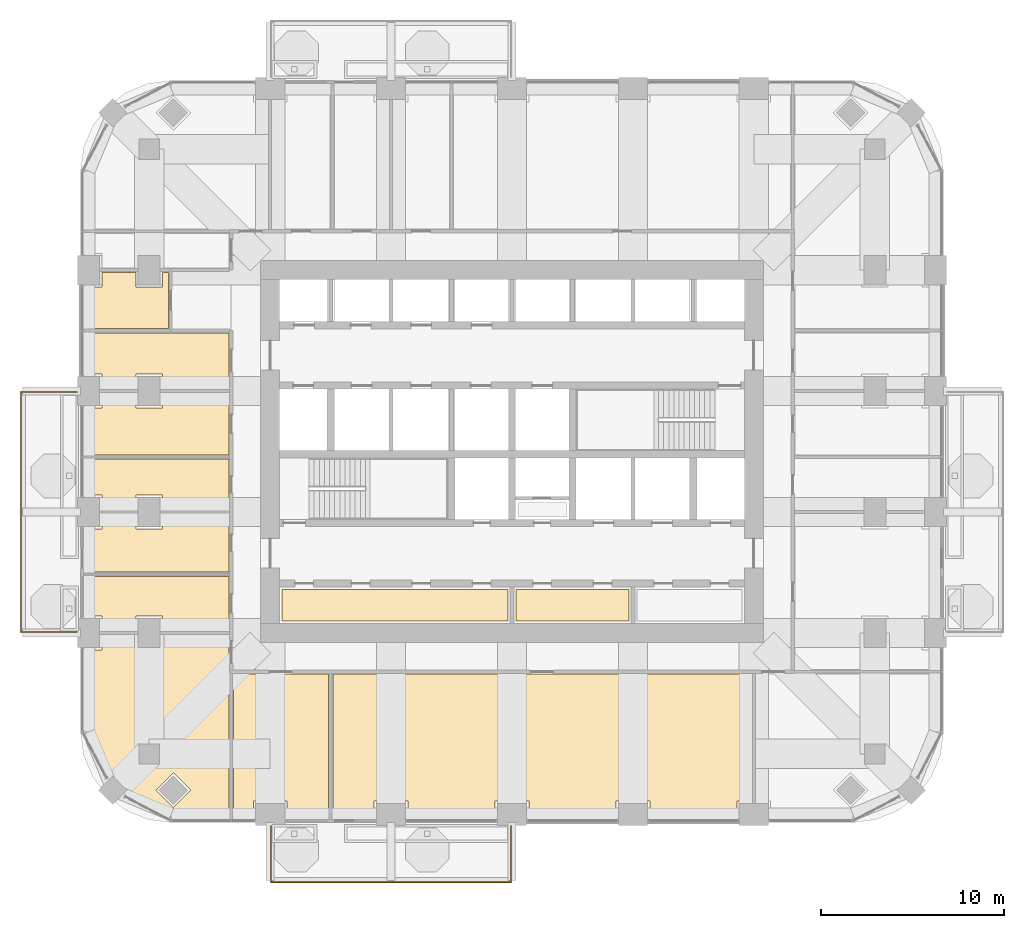
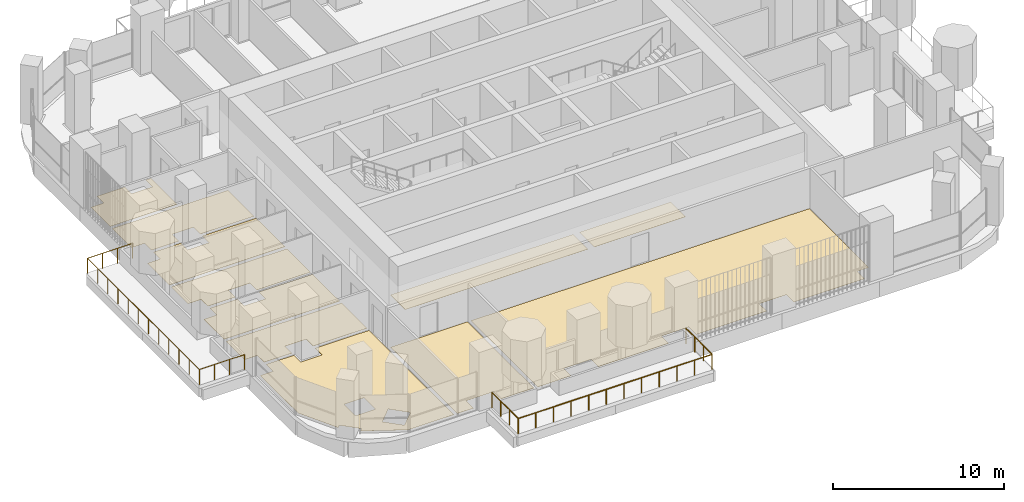
# One storey, part 16 of 20: 11 coverings, 2 railings.
"""IFC4 building model written with IfcOpenShell, lengths in metres."""

from ifc_helpers import new_model, si_unit, direction, frame, origin, place, context, subcontext, project, spatial, polyline, outline, extrude, material, layer, layer_set, type_object, element, save


model = new_model("IFC4")

# Units and contexts
model_context = context("Model", 3, precision=1e-05, world=origin(), true_north=direction((0.0, 1.0)))
body_context = subcontext(model_context, "Body", "Model", "MODEL_VIEW")
ifc_project = project(units=[si_unit("LENGTHUNIT", "METRE"), si_unit("AREAUNIT", "SQUARE_METRE"), si_unit("VOLUMEUNIT", "CUBIC_METRE"), si_unit("PLANEANGLEUNIT", "RADIAN"), si_unit("MASSUNIT", "GRAM", prefix="KILO")], contexts=[model_context])

# Site, building, storey
site_placement = place(None, origin())
site = spatial("IfcSite", under=ifc_project, at=site_placement, CompositionType="ELEMENT")
building_placement = place(site_placement, origin())
building = spatial("IfcBuilding", under=site, at=building_placement, Name="Cobogo Forest Laboratory Tower", CompositionType="ELEMENT")
storey_placement = place(building_placement, frame((0.0, 0.0, 201.89990234375)))
storey = spatial("IfcBuildingStorey", under=building, at=storey_placement, Name="L46", CompositionType="ELEMENT", Elevation=201.89990234375)

# Railings
ifc_material_1 = material(Name="Laminated glass balustrade", Category="glass")
railing_type = type_object("IfcRailingType", Name="BG1 glass balustrade 1100", PredefinedType="GUARDRAIL", material=ifc_material_1)
railing_1_placement = place(storey_placement, frame((13.25, 2.64990234375, 0.0)))
element("IfcRailing", 1, at=railing_1_placement, inside=storey, type_object=railing_type, Name="Balcony balustrade BAL-S1 L46", PredefinedType="GUARDRAIL", context=body_context, shape_type="SweptSolid", body=[
    extrude(outline(polyline([(0.022216796875, 0.00927734375), (0.00927734375, 0.022216796875), (-0.00927734375, 0.022216796875), (-0.022216796875, 0.00927734375), (-0.022216796875, -0.00927734375), (-0.00927734375, -0.022216796875), (0.00927734375, -0.022216796875), (0.022216796875, -0.00927734375), (0.022216796875, 0.00927734375)])), frame((0.0, 0.0, 1.077880859375), z_axis=(0.0, -1.0, 0.0), x_axis=(1.0, 0.0, 0.0)), (0.0, 0.0, 1.0), 3.0498046875),
    extrude(outline(polyline([(0.022216796875, 0.00927734375), (0.00927734375, 0.022216796875), (-0.00927734375, 0.022216796875), (-0.022216796875, 0.00927734375), (-0.022216796875, -0.00927734375), (-0.00927734375, -0.022216796875), (0.00927734375, -0.022216796875), (0.022216796875, -0.00927734375), (0.022216796875, 0.00927734375)])), frame((0.0, -3.0498046875, 1.077880859375), z_axis=(1.0, 0.0, 0.0), x_axis=(0.0, 1.0, 0.0)), (0.0, 0.0, 1.0), 13.10009765625),
    extrude(outline(polyline([(0.022216796875, 0.00927734375), (0.00927734375, 0.022216796875), (-0.00927734375, 0.022216796875), (-0.022216796875, 0.00927734375), (-0.022216796875, -0.00927734375), (-0.00927734375, -0.022216796875), (0.00927734375, -0.022216796875), (0.022216796875, -0.00927734375), (0.022216796875, 0.00927734375)])), frame((13.10009765625, -3.0498046875, 1.077880859375), z_axis=(0.0, 1.0, 0.0), x_axis=(-1.0, 0.0, 0.0)), (0.0, 0.0, 1.0), 3.0498046875),
    extrude(outline(polyline([(0.019287109375, 0.008056640625), (0.008056640625, 0.019287109375), (-0.008056640625, 0.019287109375), (-0.019287109375, 0.008056640625), (-0.019287109375, -0.008056640625), (-0.008056640625, -0.019287109375), (0.008056640625, -0.019287109375), (0.019287109375, -0.008056640625), (0.019287109375, 0.008056640625)])), origin(), (0.0, 0.0, 1.0), 1.077880859375),
    extrude(outline(polyline([(0.019287109375, 0.008056640625), (0.008056640625, 0.019287109375), (-0.008056640625, 0.019287109375), (-0.019287109375, 0.008056640625), (-0.019287109375, -0.008056640625), (-0.008056640625, -0.019287109375), (0.008056640625, -0.019287109375), (0.019287109375, -0.008056640625), (0.019287109375, 0.008056640625)])), frame((0.0, -1.0166015625, 0.0)), (0.0, 0.0, 1.0), 1.077880859375),
    extrude(outline(polyline([(0.019287109375, 0.008056640625), (0.008056640625, 0.019287109375), (-0.008056640625, 0.019287109375), (-0.019287109375, 0.008056640625), (-0.019287109375, -0.008056640625), (-0.008056640625, -0.019287109375), (0.008056640625, -0.019287109375), (0.019287109375, -0.008056640625), (0.019287109375, 0.008056640625)])), frame((0.0, -2.033203125, 0.0)), (0.0, 0.0, 1.0), 1.077880859375),
    extrude(outline(polyline([(0.019287109375, 0.008056640625), (0.008056640625, 0.019287109375), (-0.008056640625, 0.019287109375), (-0.019287109375, 0.008056640625), (-0.019287109375, -0.008056640625), (-0.008056640625, -0.019287109375), (0.008056640625, -0.019287109375), (0.019287109375, -0.008056640625), (0.019287109375, 0.008056640625)])), frame((0.0, -3.0498046875, 0.0)), (0.0, 0.0, 1.0), 1.077880859375),
    extrude(outline(polyline([(0.019287109375, 0.008056640625), (0.008056640625, 0.019287109375), (-0.008056640625, 0.019287109375), (-0.019287109375, 0.008056640625), (-0.019287109375, -0.008056640625), (-0.008056640625, -0.019287109375), (0.008056640625, -0.019287109375), (0.019287109375, -0.008056640625), (0.019287109375, 0.008056640625)])), frame((1.19091796875, -3.0498046875, 0.0)), (0.0, 0.0, 1.0), 1.077880859375),
    extrude(outline(polyline([(0.019287109375, 0.008056640625), (0.008056640625, 0.019287109375), (-0.008056640625, 0.019287109375), (-0.019287109375, 0.008056640625), (-0.019287109375, -0.008056640625), (-0.008056640625, -0.019287109375), (0.008056640625, -0.019287109375), (0.019287109375, -0.008056640625), (0.019287109375, 0.008056640625)])), frame((2.3818359375, -3.0498046875, 0.0)), (0.0, 0.0, 1.0), 1.077880859375),
    extrude(outline(polyline([(0.019287109375, 0.008056640625), (0.008056640625, 0.019287109375), (-0.008056640625, 0.019287109375), (-0.019287109375, 0.008056640625), (-0.019287109375, -0.008056640625), (-0.008056640625, -0.019287109375), (0.008056640625, -0.019287109375), (0.019287109375, -0.008056640625), (0.019287109375, 0.008056640625)])), frame((3.57275390625, -3.0498046875, 0.0)), (0.0, 0.0, 1.0), 1.077880859375),
    extrude(outline(polyline([(0.019287109375, 0.008056640625), (0.008056640625, 0.019287109375), (-0.008056640625, 0.019287109375), (-0.019287109375, 0.008056640625), (-0.019287109375, -0.008056640625), (-0.008056640625, -0.019287109375), (0.008056640625, -0.019287109375), (0.019287109375, -0.008056640625), (0.019287109375, 0.008056640625)])), frame((4.763671875, -3.0498046875, 0.0)), (0.0, 0.0, 1.0), 1.077880859375),
    extrude(outline(polyline([(0.019287109375, 0.008056640625), (0.008056640625, 0.019287109375), (-0.008056640625, 0.019287109375), (-0.019287109375, 0.008056640625), (-0.019287109375, -0.008056640625), (-0.008056640625, -0.019287109375), (0.008056640625, -0.019287109375), (0.019287109375, -0.008056640625), (0.019287109375, 0.008056640625)])), frame((5.95458984375, -3.0498046875, 0.0)), (0.0, 0.0, 1.0), 1.077880859375),
    extrude(outline(polyline([(0.019287109375, 0.008056640625), (0.008056640625, 0.019287109375), (-0.008056640625, 0.019287109375), (-0.019287109375, 0.008056640625), (-0.019287109375, -0.008056640625), (-0.008056640625, -0.019287109375), (0.008056640625, -0.019287109375), (0.019287109375, -0.008056640625), (0.019287109375, 0.008056640625)])), frame((7.1455078125, -3.0498046875, 0.0)), (0.0, 0.0, 1.0), 1.077880859375),
    extrude(outline(polyline([(0.019287109375, 0.008056640625), (0.008056640625, 0.019287109375), (-0.008056640625, 0.019287109375), (-0.019287109375, 0.008056640625), (-0.019287109375, -0.008056640625), (-0.008056640625, -0.019287109375), (0.008056640625, -0.019287109375), (0.019287109375, -0.008056640625), (0.019287109375, 0.008056640625)])), frame((8.33642578125, -3.0498046875, 0.0)), (0.0, 0.0, 1.0), 1.077880859375),
    extrude(outline(polyline([(0.019287109375, 0.008056640625), (0.008056640625, 0.019287109375), (-0.008056640625, 0.019287109375), (-0.019287109375, 0.008056640625), (-0.019287109375, -0.008056640625), (-0.008056640625, -0.019287109375), (0.008056640625, -0.019287109375), (0.019287109375, -0.008056640625), (0.019287109375, 0.008056640625)])), frame((9.52734375, -3.0498046875, 0.0)), (0.0, 0.0, 1.0), 1.077880859375),
    extrude(outline(polyline([(0.019287109375, 0.008056640625), (0.008056640625, 0.019287109375), (-0.008056640625, 0.019287109375), (-0.019287109375, 0.008056640625), (-0.019287109375, -0.008056640625), (-0.008056640625, -0.019287109375), (0.008056640625, -0.019287109375), (0.019287109375, -0.008056640625), (0.019287109375, 0.008056640625)])), frame((10.71826171875, -3.0498046875, 0.0)), (0.0, 0.0, 1.0), 1.077880859375),
    extrude(outline(polyline([(0.019287109375, 0.008056640625), (0.008056640625, 0.019287109375), (-0.008056640625, 0.019287109375), (-0.019287109375, 0.008056640625), (-0.019287109375, -0.008056640625), (-0.008056640625, -0.019287109375), (0.008056640625, -0.019287109375), (0.019287109375, -0.008056640625), (0.019287109375, 0.008056640625)])), frame((11.9091796875, -3.0498046875, 0.0)), (0.0, 0.0, 1.0), 1.077880859375),
    extrude(outline(polyline([(0.019287109375, 0.008056640625), (0.008056640625, 0.019287109375), (-0.008056640625, 0.019287109375), (-0.019287109375, 0.008056640625), (-0.019287109375, -0.008056640625), (-0.008056640625, -0.019287109375), (0.008056640625, -0.019287109375), (0.019287109375, -0.008056640625), (0.019287109375, 0.008056640625)])), frame((13.10009765625, -3.0498046875, 0.0)), (0.0, 0.0, 1.0), 1.077880859375),
    extrude(outline(polyline([(0.019287109375, 0.008056640625), (0.008056640625, 0.019287109375), (-0.008056640625, 0.019287109375), (-0.019287109375, 0.008056640625), (-0.019287109375, -0.008056640625), (-0.008056640625, -0.019287109375), (0.008056640625, -0.019287109375), (0.019287109375, -0.008056640625), (0.019287109375, 0.008056640625)])), frame((13.10009765625, -2.033203125, 0.0)), (0.0, 0.0, 1.0), 1.077880859375),
    extrude(outline(polyline([(0.019287109375, 0.008056640625), (0.008056640625, 0.019287109375), (-0.008056640625, 0.019287109375), (-0.019287109375, 0.008056640625), (-0.019287109375, -0.008056640625), (-0.008056640625, -0.019287109375), (0.008056640625, -0.019287109375), (0.019287109375, -0.008056640625), (0.019287109375, 0.008056640625)])), frame((13.10009765625, -1.0166015625, 0.0)), (0.0, 0.0, 1.0), 1.077880859375),
    extrude(outline(polyline([(0.019287109375, 0.008056640625), (0.008056640625, 0.019287109375), (-0.008056640625, 0.019287109375), (-0.019287109375, 0.008056640625), (-0.019287109375, -0.008056640625), (-0.008056640625, -0.019287109375), (0.008056640625, -0.019287109375), (0.019287109375, -0.008056640625), (0.019287109375, 0.008056640625)])), frame((13.10009765625, 0.0, 0.0)), (0.0, 0.0, 1.0), 1.077880859375),
])
railing_2_placement = place(storey_placement, frame((2.64990234375, 13.25, 0.0)))
element("IfcRailing", 2, at=railing_2_placement, inside=storey, type_object=railing_type, Name="Balcony balustrade BAL-W1 L46", PredefinedType="GUARDRAIL", context=body_context, shape_type="SweptSolid", body=[
    extrude(outline(polyline([(0.022216796875, 0.00927734375), (0.00927734375, 0.022216796875), (-0.00927734375, 0.022216796875), (-0.022216796875, 0.00927734375), (-0.022216796875, -0.00927734375), (-0.00927734375, -0.022216796875), (0.00927734375, -0.022216796875), (0.022216796875, -0.00927734375), (0.022216796875, 0.00927734375)])), frame((0.0, 0.0, 1.077880859375), z_axis=(-1.0, 0.0, 0.0), x_axis=(0.0, -1.0, 0.0)), (0.0, 0.0, 1.0), 3.0498046875),
    extrude(outline(polyline([(0.022216796875, 0.00927734375), (0.00927734375, 0.022216796875), (-0.00927734375, 0.022216796875), (-0.022216796875, 0.00927734375), (-0.022216796875, -0.00927734375), (-0.00927734375, -0.022216796875), (0.00927734375, -0.022216796875), (0.022216796875, -0.00927734375), (0.022216796875, 0.00927734375)])), frame((-3.0498046875, 0.0, 1.077880859375), z_axis=(0.0, 1.0, 0.0), x_axis=(-1.0, 0.0, 0.0)), (0.0, 0.0, 1.0), 13.10009765625),
    extrude(outline(polyline([(0.022216796875, 0.00927734375), (0.00927734375, 0.022216796875), (-0.00927734375, 0.022216796875), (-0.022216796875, 0.00927734375), (-0.022216796875, -0.00927734375), (-0.00927734375, -0.022216796875), (0.00927734375, -0.022216796875), (0.022216796875, -0.00927734375), (0.022216796875, 0.00927734375)])), frame((-3.0498046875, 13.10009765625, 1.077880859375), z_axis=(1.0, 0.0, 0.0), x_axis=(0.0, 1.0, 0.0)), (0.0, 0.0, 1.0), 3.0498046875),
    extrude(outline(polyline([(0.019287109375, 0.008056640625), (0.008056640625, 0.019287109375), (-0.008056640625, 0.019287109375), (-0.019287109375, 0.008056640625), (-0.019287109375, -0.008056640625), (-0.008056640625, -0.019287109375), (0.008056640625, -0.019287109375), (0.019287109375, -0.008056640625), (0.019287109375, 0.008056640625)])), origin(), (0.0, 0.0, 1.0), 1.077880859375),
    extrude(outline(polyline([(0.019287109375, 0.008056640625), (0.008056640625, 0.019287109375), (-0.008056640625, 0.019287109375), (-0.019287109375, 0.008056640625), (-0.019287109375, -0.008056640625), (-0.008056640625, -0.019287109375), (0.008056640625, -0.019287109375), (0.019287109375, -0.008056640625), (0.019287109375, 0.008056640625)])), frame((-1.0166015625, 0.0, 0.0)), (0.0, 0.0, 1.0), 1.077880859375),
    extrude(outline(polyline([(0.019287109375, 0.008056640625), (0.008056640625, 0.019287109375), (-0.008056640625, 0.019287109375), (-0.019287109375, 0.008056640625), (-0.019287109375, -0.008056640625), (-0.008056640625, -0.019287109375), (0.008056640625, -0.019287109375), (0.019287109375, -0.008056640625), (0.019287109375, 0.008056640625)])), frame((-2.033203125, 0.0, 0.0)), (0.0, 0.0, 1.0), 1.077880859375),
    extrude(outline(polyline([(0.019287109375, 0.008056640625), (0.008056640625, 0.019287109375), (-0.008056640625, 0.019287109375), (-0.019287109375, 0.008056640625), (-0.019287109375, -0.008056640625), (-0.008056640625, -0.019287109375), (0.008056640625, -0.019287109375), (0.019287109375, -0.008056640625), (0.019287109375, 0.008056640625)])), frame((-3.0498046875, 0.0, 0.0)), (0.0, 0.0, 1.0), 1.077880859375),
    extrude(outline(polyline([(0.019287109375, 0.008056640625), (0.008056640625, 0.019287109375), (-0.008056640625, 0.019287109375), (-0.019287109375, 0.008056640625), (-0.019287109375, -0.008056640625), (-0.008056640625, -0.019287109375), (0.008056640625, -0.019287109375), (0.019287109375, -0.008056640625), (0.019287109375, 0.008056640625)])), frame((-3.0498046875, 1.19091796875, 0.0)), (0.0, 0.0, 1.0), 1.077880859375),
    extrude(outline(polyline([(0.019287109375, 0.008056640625), (0.008056640625, 0.019287109375), (-0.008056640625, 0.019287109375), (-0.019287109375, 0.008056640625), (-0.019287109375, -0.008056640625), (-0.008056640625, -0.019287109375), (0.008056640625, -0.019287109375), (0.019287109375, -0.008056640625), (0.019287109375, 0.008056640625)])), frame((-3.0498046875, 2.3818359375, 0.0)), (0.0, 0.0, 1.0), 1.077880859375),
    extrude(outline(polyline([(0.019287109375, 0.008056640625), (0.008056640625, 0.019287109375), (-0.008056640625, 0.019287109375), (-0.019287109375, 0.008056640625), (-0.019287109375, -0.008056640625), (-0.008056640625, -0.019287109375), (0.008056640625, -0.019287109375), (0.019287109375, -0.008056640625), (0.019287109375, 0.008056640625)])), frame((-3.0498046875, 3.57275390625, 0.0)), (0.0, 0.0, 1.0), 1.077880859375),
    extrude(outline(polyline([(0.019287109375, 0.008056640625), (0.008056640625, 0.019287109375), (-0.008056640625, 0.019287109375), (-0.019287109375, 0.008056640625), (-0.019287109375, -0.008056640625), (-0.008056640625, -0.019287109375), (0.008056640625, -0.019287109375), (0.019287109375, -0.008056640625), (0.019287109375, 0.008056640625)])), frame((-3.0498046875, 4.763671875, 0.0)), (0.0, 0.0, 1.0), 1.077880859375),
    extrude(outline(polyline([(0.019287109375, 0.008056640625), (0.008056640625, 0.019287109375), (-0.008056640625, 0.019287109375), (-0.019287109375, 0.008056640625), (-0.019287109375, -0.008056640625), (-0.008056640625, -0.019287109375), (0.008056640625, -0.019287109375), (0.019287109375, -0.008056640625), (0.019287109375, 0.008056640625)])), frame((-3.0498046875, 5.95458984375, 0.0)), (0.0, 0.0, 1.0), 1.077880859375),
    extrude(outline(polyline([(0.019287109375, 0.008056640625), (0.008056640625, 0.019287109375), (-0.008056640625, 0.019287109375), (-0.019287109375, 0.008056640625), (-0.019287109375, -0.008056640625), (-0.008056640625, -0.019287109375), (0.008056640625, -0.019287109375), (0.019287109375, -0.008056640625), (0.019287109375, 0.008056640625)])), frame((-3.0498046875, 7.1455078125, 0.0)), (0.0, 0.0, 1.0), 1.077880859375),
    extrude(outline(polyline([(0.019287109375, 0.008056640625), (0.008056640625, 0.019287109375), (-0.008056640625, 0.019287109375), (-0.019287109375, 0.008056640625), (-0.019287109375, -0.008056640625), (-0.008056640625, -0.019287109375), (0.008056640625, -0.019287109375), (0.019287109375, -0.008056640625), (0.019287109375, 0.008056640625)])), frame((-3.0498046875, 8.33642578125, 0.0)), (0.0, 0.0, 1.0), 1.077880859375),
    extrude(outline(polyline([(0.019287109375, 0.008056640625), (0.008056640625, 0.019287109375), (-0.008056640625, 0.019287109375), (-0.019287109375, 0.008056640625), (-0.019287109375, -0.008056640625), (-0.008056640625, -0.019287109375), (0.008056640625, -0.019287109375), (0.019287109375, -0.008056640625), (0.019287109375, 0.008056640625)])), frame((-3.0498046875, 9.52734375, 0.0)), (0.0, 0.0, 1.0), 1.077880859375),
    extrude(outline(polyline([(0.019287109375, 0.008056640625), (0.008056640625, 0.019287109375), (-0.008056640625, 0.019287109375), (-0.019287109375, 0.008056640625), (-0.019287109375, -0.008056640625), (-0.008056640625, -0.019287109375), (0.008056640625, -0.019287109375), (0.019287109375, -0.008056640625), (0.019287109375, 0.008056640625)])), frame((-3.0498046875, 10.71826171875, 0.0)), (0.0, 0.0, 1.0), 1.077880859375),
    extrude(outline(polyline([(0.019287109375, 0.008056640625), (0.008056640625, 0.019287109375), (-0.008056640625, 0.019287109375), (-0.019287109375, 0.008056640625), (-0.019287109375, -0.008056640625), (-0.008056640625, -0.019287109375), (0.008056640625, -0.019287109375), (0.019287109375, -0.008056640625), (0.019287109375, 0.008056640625)])), frame((-3.0498046875, 11.9091796875, 0.0)), (0.0, 0.0, 1.0), 1.077880859375),
    extrude(outline(polyline([(0.019287109375, 0.008056640625), (0.008056640625, 0.019287109375), (-0.008056640625, 0.019287109375), (-0.019287109375, 0.008056640625), (-0.019287109375, -0.008056640625), (-0.008056640625, -0.019287109375), (0.008056640625, -0.019287109375), (0.019287109375, -0.008056640625), (0.019287109375, 0.008056640625)])), frame((-3.0498046875, 13.10009765625, 0.0)), (0.0, 0.0, 1.0), 1.077880859375),
    extrude(outline(polyline([(0.019287109375, 0.008056640625), (0.008056640625, 0.019287109375), (-0.008056640625, 0.019287109375), (-0.019287109375, 0.008056640625), (-0.019287109375, -0.008056640625), (-0.008056640625, -0.019287109375), (0.008056640625, -0.019287109375), (0.019287109375, -0.008056640625), (0.019287109375, 0.008056640625)])), frame((-2.033203125, 13.10009765625, 0.0)), (0.0, 0.0, 1.0), 1.077880859375),
    extrude(outline(polyline([(0.019287109375, 0.008056640625), (0.008056640625, 0.019287109375), (-0.008056640625, 0.019287109375), (-0.019287109375, 0.008056640625), (-0.019287109375, -0.008056640625), (-0.008056640625, -0.019287109375), (0.008056640625, -0.019287109375), (0.019287109375, -0.008056640625), (0.019287109375, 0.008056640625)])), frame((-1.0166015625, 13.10009765625, 0.0)), (0.0, 0.0, 1.0), 1.077880859375),
    extrude(outline(polyline([(0.019287109375, 0.008056640625), (0.008056640625, 0.019287109375), (-0.008056640625, 0.019287109375), (-0.019287109375, 0.008056640625), (-0.019287109375, -0.008056640625), (-0.008056640625, -0.019287109375), (0.008056640625, -0.019287109375), (0.019287109375, -0.008056640625), (0.019287109375, 0.008056640625)])), frame((0.0, 13.10009765625, 0.0)), (0.0, 0.0, 1.0), 1.077880859375),
])

# Coverings
ifc_material_2 = material(Name="Carpet tile on raised access floor", Category="flooring")
ifc_layer_1 = layer(ifc_material_2, 0.008056640625)
ifc_layer_set_1 = layer_set([ifc_layer_1], Name="CT1 carpet tile floor 8")
covering_type_1 = type_object("IfcCoveringType", Name="CT1 carpet tile floor 8", PredefinedType="FLOORING", material=ifc_layer_set_1)
covering_1_placement = place(storey_placement, origin())
element("IfcCovering", 3, at=covering_1_placement, inside=storey, type_object=covering_type_1, Name="Carpet floor L46-20", PredefinedType="FLOORING", context=body_context, shape_type="SweptSolid", body=[
    extrude(outline(polyline([(7.655029296875, 29.820068359375), (3.14990234375, 29.820068359375), (3.14990234375, 32.080078125), (4.02001953125, 32.080078125), (4.02001953125, 32.8798828125), (5.8798828125, 32.8798828125), (5.8798828125, 32.080078125), (7.320068359375, 32.080078125), (7.320068359375, 32.8798828125), (7.655029296875, 32.8798828125), (7.655029296875, 29.820068359375)])), origin(), (0.0, 0.0, 1.0), 0.008056640625),
])
covering_2_placement = place(storey_placement, origin())
element("IfcCovering", 4, at=covering_2_placement, inside=storey, type_object=covering_type_1, Name="Carpet floor L46-30", PredefinedType="FLOORING", context=body_context, shape_type="SweptSolid", body=[
    extrude(outline(polyline([(26.179931640625, 13.844970703125), (13.844970703125, 13.844970703125), (13.844970703125, 15.580078125), (26.179931640625, 15.580078125), (26.179931640625, 13.844970703125)])), origin(), (0.0, 0.0, 1.0), 0.008056640625),
])
covering_3_placement = place(storey_placement, origin())
element("IfcCovering", 5, at=covering_3_placement, inside=storey, type_object=covering_type_1, Name="Carpet floor L46-31", PredefinedType="FLOORING", context=body_context, shape_type="SweptSolid", body=[
    extrude(outline(polyline([(32.780029296875, 13.844970703125), (26.6201171875, 13.844970703125), (26.6201171875, 15.580078125), (32.780029296875, 15.580078125), (32.780029296875, 13.844970703125)])), origin(), (0.0, 0.0, 1.0), 0.008056640625),
])
ifc_material_3 = material(Name="Static-dissipative vinyl flooring", Category="flooring")
ifc_layer_2 = layer(ifc_material_3, 0.0029296875)
ifc_layer_set_2 = layer_set([ifc_layer_2], Name="SD1 static-dissipative vinyl floor 3")
covering_type_2 = type_object("IfcCoveringType", Name="SD1 static-dissipative vinyl floor 3", PredefinedType="FLOORING", material=ifc_layer_set_2)
covering_4_placement = place(storey_placement, origin())
element("IfcCovering", 6, at=covering_4_placement, inside=storey, type_object=covering_type_2, Name="Static-dissipative floor L46-01", PredefinedType="FLOORING", context=body_context, shape_type="SweptSolid", body=[
    extrude(outline(polyline([(16.3798828125, 10.955078125), (16.3798828125, 3.14990234375), (14.1201171875, 3.14990234375), (14.1201171875, 4.02001953125), (12.280029296875, 4.02001953125), (12.280029296875, 3.14990234375), (11.195068359375, 3.14990234375), (11.195068359375, 10.955078125), (16.3798828125, 10.955078125)])), origin(), (0.0, 0.0, 1.0), 0.003173828125),
])
covering_5_placement = place(storey_placement, origin())
element("IfcCovering", 7, at=covering_5_placement, inside=storey, type_object=covering_type_2, Name="Static-dissipative floor L46-02", PredefinedType="FLOORING", context=body_context, shape_type="SweptSolid", body=[
    extrude(outline(polyline([(39.47998046875, 10.955078125), (39.47998046875, 4.02001953125), (38.679931640625, 4.02001953125), (38.679931640625, 3.14990234375), (33.919921875, 3.14990234375), (33.919921875, 4.02001953125), (32.080078125, 4.02001953125), (32.080078125, 3.14990234375), (27.320068359375, 3.14990234375), (27.320068359375, 4.02001953125), (25.47998046875, 4.02001953125), (25.47998046875, 3.14990234375), (20.719970703125, 3.14990234375), (20.719970703125, 4.02001953125), (18.8798828125, 4.02001953125), (18.8798828125, 3.14990234375), (16.6201171875, 3.14990234375), (16.6201171875, 10.955078125), (39.47998046875, 10.955078125)])), origin(), (0.0, 0.0, 1.0), 0.003173828125),
])
covering_6_placement = place(storey_placement, origin())
element("IfcCovering", 8, at=covering_6_placement, inside=storey, type_object=covering_type_2, Name="Static-dissipative floor L46-14", PredefinedType="FLOORING", context=body_context, shape_type="SweptSolid", body=[
    extrude(outline(polyline([(10.955078125, 3.14990234375), (7.84912109375, 3.14990234375), (5.387939453125, 4.440185546875), (5.5654296875, 4.617919921875), (4.617919921875, 5.5654296875), (4.440185546875, 5.387939453125), (3.14990234375, 7.84912109375), (3.14990234375, 12.280029296875), (4.02001953125, 12.280029296875), (4.02001953125, 13.080078125), (5.8798828125, 13.080078125), (5.8798828125, 12.280029296875), (7.320068359375, 12.280029296875), (7.320068359375, 13.080078125), (10.955078125, 13.080078125), (10.955078125, 3.14990234375)]), holes=[polyline([(7.91796875, 3.67041015625), (8.865478515625, 4.617919921875), (7.91796875, 5.5654296875), (6.970458984375, 4.617919921875), (7.91796875, 3.67041015625)]), polyline([(5.929931640625, 5.929931640625), (7.27001953125, 5.929931640625), (7.27001953125, 7.27001953125), (5.929931640625, 7.27001953125), (5.929931640625, 5.929931640625)])]), origin(), (0.0, 0.0, 1.0), 0.003173828125),
])
covering_7_placement = place(storey_placement, origin())
element("IfcCovering", 9, at=covering_7_placement, inside=storey, type_object=covering_type_2, Name="Static-dissipative floor L46-19", PredefinedType="FLOORING", context=body_context, shape_type="SweptSolid", body=[
    extrude(outline(polyline([(10.955078125, 26.52001953125), (7.320068359375, 26.52001953125), (7.320068359375, 27.320068359375), (5.8798828125, 27.320068359375), (5.8798828125, 26.52001953125), (4.02001953125, 26.52001953125), (4.02001953125, 27.320068359375), (3.14990234375, 27.320068359375), (3.14990234375, 29.580078125), (10.955078125, 29.580078125), (10.955078125, 26.52001953125)])), origin(), (0.0, 0.0, 1.0), 0.003173828125),
])
ifc_material_4 = material(Name="Ceramic floor tile", Category="flooring")
ifc_layer_3 = layer(ifc_material_4, 0.010009765625)
ifc_layer_set_3 = layer_set([ifc_layer_3], Name="TF1 ceramic tile floor 10")
covering_type_3 = type_object("IfcCoveringType", Name="TF1 ceramic tile floor 10", PredefinedType="FLOORING", material=ifc_layer_set_3)
covering_8_placement = place(storey_placement, origin())
element("IfcCovering", 10, at=covering_8_placement, inside=storey, type_object=covering_type_3, Name="Tile floor L46-15", PredefinedType="FLOORING", context=body_context, shape_type="SweptSolid", body=[
    extrude(outline(polyline([(10.955078125, 13.320068359375), (7.320068359375, 13.320068359375), (7.320068359375, 14.1201171875), (5.8798828125, 14.1201171875), (5.8798828125, 13.320068359375), (4.02001953125, 13.320068359375), (4.02001953125, 14.1201171875), (3.14990234375, 14.1201171875), (3.14990234375, 16.280029296875), (10.955078125, 16.280029296875), (10.955078125, 13.320068359375)])), origin(), (0.0, 0.0, 1.0), 0.010009765625),
])
covering_9_placement = place(storey_placement, origin())
element("IfcCovering", 11, at=covering_9_placement, inside=storey, type_object=covering_type_3, Name="Tile floor L46-16", PredefinedType="FLOORING", context=body_context, shape_type="SweptSolid", body=[
    extrude(outline(polyline([(10.955078125, 16.52001953125), (3.14990234375, 16.52001953125), (3.14990234375, 18.8798828125), (4.02001953125, 18.8798828125), (4.02001953125, 19.679931640625), (5.8798828125, 19.679931640625), (5.8798828125, 18.8798828125), (7.320068359375, 18.8798828125), (7.320068359375, 19.679931640625), (10.955078125, 19.679931640625), (10.955078125, 16.52001953125)])), origin(), (0.0, 0.0, 1.0), 0.010009765625),
])
covering_10_placement = place(storey_placement, origin())
element("IfcCovering", 12, at=covering_10_placement, inside=storey, type_object=covering_type_3, Name="Tile floor L46-17", PredefinedType="FLOORING", context=body_context, shape_type="SweptSolid", body=[
    extrude(outline(polyline([(10.955078125, 19.919921875), (7.320068359375, 19.919921875), (7.320068359375, 20.719970703125), (5.8798828125, 20.719970703125), (5.8798828125, 19.919921875), (4.02001953125, 19.919921875), (4.02001953125, 20.719970703125), (3.14990234375, 20.719970703125), (3.14990234375, 22.679931640625), (10.955078125, 22.679931640625), (10.955078125, 19.919921875)])), origin(), (0.0, 0.0, 1.0), 0.010009765625),
])
covering_11_placement = place(storey_placement, origin())
element("IfcCovering", 13, at=covering_11_placement, inside=storey, type_object=covering_type_3, Name="Tile floor L46-18", PredefinedType="FLOORING", context=body_context, shape_type="SweptSolid", body=[
    extrude(outline(polyline([(10.955078125, 22.919921875), (3.14990234375, 22.919921875), (3.14990234375, 25.47998046875), (4.02001953125, 25.47998046875), (4.02001953125, 26.280029296875), (5.8798828125, 26.280029296875), (5.8798828125, 25.47998046875), (7.320068359375, 25.47998046875), (7.320068359375, 26.280029296875), (10.955078125, 26.280029296875), (10.955078125, 22.919921875)])), origin(), (0.0, 0.0, 1.0), 0.010009765625),
])

save(model, "model.ifc")
